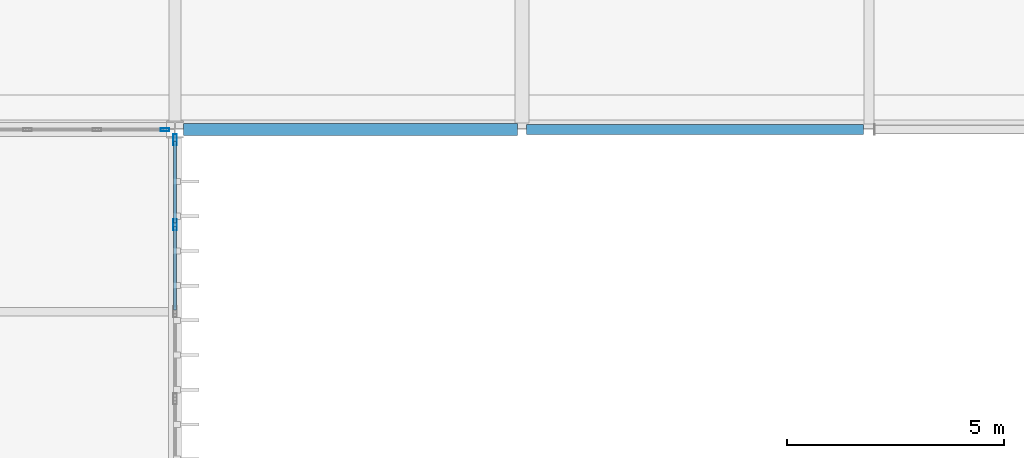
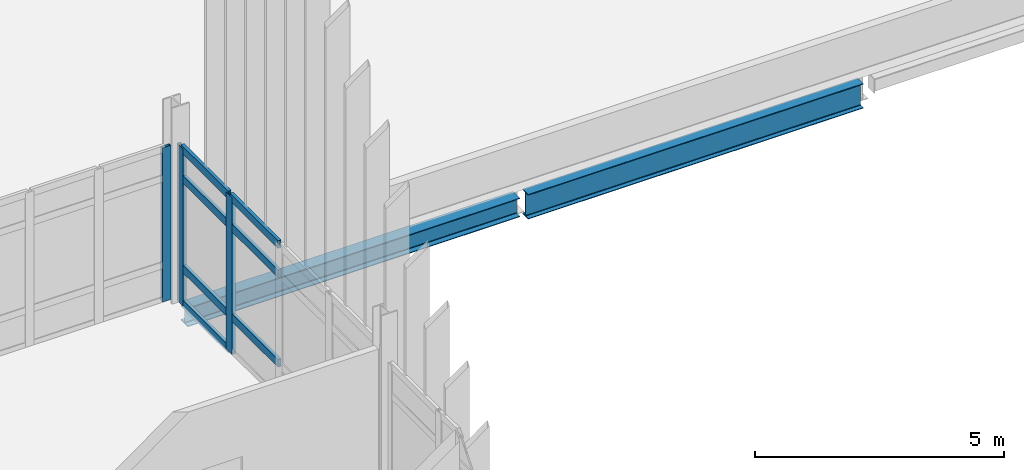
# One storey, part 46 of 153: 10 members, 2 beams, 2 elements without a shape of their own.
"""IFC4 building model written with IfcOpenShell, lengths in metres."""

from ifc_helpers import new_model, si_unit, direction, frame, origin, origin_2d, place, context, subcontext, project, spatial, hollow_rectangle, i_section, extrude, material, layer, layer_set, material_profile, profile_set, type_object, element, aggregate, save


model = new_model("IFC4")

# Units and contexts
model_context = context("Model", 3, precision=1e-05, world=origin(), true_north=direction((0.0, 1.0)))
body_context = subcontext(model_context, "Body", "Model", "MODEL_VIEW")
ifc_project = project(units=[si_unit("LENGTHUNIT", "METRE"), si_unit("AREAUNIT", "SQUARE_METRE"), si_unit("VOLUMEUNIT", "CUBIC_METRE"), si_unit("PLANEANGLEUNIT", "RADIAN"), si_unit("MASSUNIT", "GRAM", prefix="KILO")], contexts=[model_context])

# Site, building, storey
site_placement = place(None, origin())
site = spatial("IfcSite", under=ifc_project, at=site_placement, CompositionType="ELEMENT")
building_placement = place(site_placement, origin())
building = spatial("IfcBuilding", under=site, at=building_placement, Name="Calvrana Isthmian Art Gallery", CompositionType="ELEMENT")
storey_placement = place(building_placement, frame((0.0, 0.0, 10.199951171875)))
storey = spatial("IfcBuildingStorey", under=building, at=storey_placement, Name="L02", CompositionType="ELEMENT", Elevation=10.199951171875)

# Beams
ifc_material_1 = material(Name="Steel ASTM A992 Gr 50", Category="steel")
ifc_material_profile_1 = material_profile(ifc_material_1, i_section(OverallWidth=0.279052734375, OverallDepth=0.4619140625, WebThickness=0.0107421875, FlangeThickness=0.017333984375, FilletRadius=0.02001953125, at=origin_2d()), Name="W18X76")
ifc_profile_set_1 = profile_set([ifc_material_profile_1], Name="Steel ASTM A992 Gr 50")
beam_type_1 = type_object("IfcBeamType", Name="BM-G-W18X76", PredefinedType="BEAM", material=ifc_profile_set_1)
beam_1_placement = place(storey_placement, frame((80.597900390625, 46.800048828125, -0.495849609375), z_axis=(1.0, 0.0, 0.0), x_axis=(0.0, 1.0, 0.0)))
element("IfcBeam", 1, at=beam_1_placement, inside=storey, type_object=beam_type_1, Name="Girder X L02 11-12/G", PredefinedType="BEAM", context=body_context, shape_type="SweptSolid", body=[
    extrude(i_section(OverallWidth=0.279052734375, OverallDepth=0.4619140625, WebThickness=0.0107421875, FlangeThickness=0.017333984375, FilletRadius=0.02001953125, at=origin_2d()), origin(), (0.0, 0.0, 1.0), 7.700439453125),
])
ifc_material_profile_2 = material_profile(ifc_material_1, i_section(OverallWidth=0.22802734375, OverallDepth=0.60693359375, WebThickness=0.01123046875, FlangeThickness=0.017333984375, FilletRadius=0.02197265625, at=origin_2d()), Name="W24X76")
ifc_profile_set_2 = profile_set([ifc_material_profile_2], Name="Steel ASTM A992 Gr 50")
beam_type_2 = type_object("IfcBeamType", Name="BM-G-W24X76", PredefinedType="BEAM", material=ifc_profile_set_2)
beam_2_placement = place(storey_placement, frame((88.501708984375, 46.800048828125, -0.568359375), z_axis=(1.0, 0.0, 0.0), x_axis=(0.0, 1.0, 0.0)))
element("IfcBeam", 2, at=beam_2_placement, inside=storey, type_object=beam_type_2, Name="Girder X L02 12-13/G", PredefinedType="BEAM", context=body_context, shape_type="SweptSolid", body=[
    extrude(i_section(OverallWidth=0.22802734375, OverallDepth=0.60693359375, WebThickness=0.01123046875, FlangeThickness=0.017333984375, FilletRadius=0.02197265625, at=origin_2d()), origin(), (0.0, 0.0, 1.0), 7.771240234375),
])

# Curtain wall, member
ifc_material_2 = material(Name="Anodized bronze aluminium 6063-T6", Category="aluminium")
ifc_layer = layer(ifc_material_2, 0.179931640625, Name="Anodized bronze aluminium 6063-T6")
ifc_layer_set = layer_set([ifc_layer], Name="Anodized bronze aluminium 6063-T6")
curtain_wall_type = type_object("IfcCurtainWallType", Name="CW-UNIT-080X38", PredefinedType="USERDEFINED", material=ifc_layer_set)
curtain_wall_1_placement = place(storey_placement, origin())
curtain_wall_1 = element("IfcCurtainWall", 3, at=curtain_wall_1_placement, inside=storey, type_object=curtain_wall_type, Name="Curtain wall CW-153", ObjectType="UNITISED CURTAIN WALL", PredefinedType="USERDEFINED")
ifc_material_profile_3 = material_profile(ifc_material_2, hollow_rectangle(XDim=0.070068359375, YDim=0.199951171875, WallThickness=0.0048828125, at=origin_2d()), Name="CWM70X200")
ifc_profile_set_3 = profile_set([ifc_material_profile_3], Name="Anodized bronze aluminium 6063-T6")
member_type_1 = type_object("IfcMemberType", Name="CWM-CWM70X200", PredefinedType="MULLION", material=ifc_profile_set_3)
member_1_placement = place(storey_placement, frame((80.16552734375, 46.800048828125, 0.0), z_axis=(0.0, 0.0, 1.0), x_axis=(0.0, 1.0, 0.0)))
member_1 = element("IfcMember", 4, at=member_1_placement, type_object=member_type_1, Name="CW-153 mullion 6", PredefinedType="MULLION", context=body_context, shape_type="SweptSolid", body=[
    extrude(hollow_rectangle(XDim=0.070068359375, YDim=0.199951171875, WallThickness=0.0048828125, at=origin_2d()), origin(), (0.0, 0.0, 1.0), 3.778076171875),
])
aggregate(curtain_wall_1, [member_1])

# Curtain wall, members
curtain_wall_2_placement = place(storey_placement, origin())
curtain_wall_2 = element("IfcCurtainWall", 5, at=curtain_wall_2_placement, inside=storey, type_object=curtain_wall_type, Name="Curtain wall CW-179", ObjectType="UNITISED CURTAIN WALL", PredefinedType="USERDEFINED")
ifc_material_profile_4 = material_profile(ifc_material_2, hollow_rectangle(XDim=0.080078125, YDim=0.25, WallThickness=0.005615234375, at=origin_2d()), Name="CWM80X250")
ifc_profile_set_4 = profile_set([ifc_material_profile_4], Name="Anodized bronze aluminium 6063-T6")
member_type_2 = type_object("IfcMemberType", Name="CWM-CWM80X250", PredefinedType="MULLION", material=ifc_profile_set_4)
member_2_placement = place(storey_placement, frame((80.39990234375, 46.56689453125, 0.0), z_axis=(0.0, 0.0, 1.0), x_axis=(1.0, 0.0, 0.0)))
member_2 = element("IfcMember", 6, at=member_2_placement, type_object=member_type_2, Name="CW-179 mullion 1", PredefinedType="MULLION", context=body_context, shape_type="SweptSolid", body=[
    extrude(hollow_rectangle(XDim=0.080078125, YDim=0.25, WallThickness=0.005615234375, at=origin_2d()), origin(), (0.0, 0.0, 1.0), 3.84716796875),
])
member_3_placement = place(storey_placement, frame((80.39990234375, 44.601318359375, 0.0), z_axis=(0.0, 0.0, 1.0), x_axis=(1.0, 0.0, 0.0)))
member_3 = element("IfcMember", 7, at=member_3_placement, type_object=member_type_2, Name="CW-179 mullion 2", PredefinedType="MULLION", context=body_context, shape_type="SweptSolid", body=[
    extrude(hollow_rectangle(XDim=0.080078125, YDim=0.25, WallThickness=0.005615234375, at=origin_2d()), origin(), (0.0, 0.0, 1.0), 3.84716796875),
])
ifc_material_profile_5 = material_profile(ifc_material_2, hollow_rectangle(XDim=0.074951171875, YDim=0.18994140625, WallThickness=0.00439453125, at=origin_2d()), Name="CWT75X190")
ifc_profile_set_5 = profile_set([ifc_material_profile_5], Name="Anodized bronze aluminium 6063-T6")
member_type_3 = type_object("IfcMemberType", Name="CWT-CWT75X190", PredefinedType="USERDEFINED", material=ifc_profile_set_5)
member_4_placement = place(storey_placement, frame((80.39990234375, 46.527099609375, 0.03759765625), z_axis=(0.0, -1.0, 0.0), x_axis=(1.0, 0.0, 0.0)))
member_4 = element("IfcMember", 8, at=member_4_placement, type_object=member_type_3, Name="CW-179 transom 1.1", ObjectType="TRANSOM", PredefinedType="USERDEFINED", context=body_context, shape_type="SweptSolid", body=[
    extrude(hollow_rectangle(XDim=0.074951171875, YDim=0.18994140625, WallThickness=0.00439453125, at=origin_2d()), origin(), (0.0, 0.0, 1.0), 1.8857421875),
])
member_5_placement = place(storey_placement, frame((80.39990234375, 46.527099609375, 0.900146484375), z_axis=(0.0, -1.0, 0.0), x_axis=(1.0, 0.0, 0.0)))
member_5 = element("IfcMember", 9, at=member_5_placement, type_object=member_type_3, Name="CW-179 transom 1.2", ObjectType="TRANSOM", PredefinedType="USERDEFINED", context=body_context, shape_type="SweptSolid", body=[
    extrude(hollow_rectangle(XDim=0.074951171875, YDim=0.18994140625, WallThickness=0.00439453125, at=origin_2d()), origin(), (0.0, 0.0, 1.0), 1.8857421875),
])
member_6_placement = place(storey_placement, frame((80.39990234375, 46.527099609375, 3.09716796875), z_axis=(0.0, -1.0, 0.0), x_axis=(1.0, 0.0, 0.0)))
member_6 = element("IfcMember", 10, at=member_6_placement, type_object=member_type_3, Name="CW-179 transom 1.3", ObjectType="TRANSOM", PredefinedType="USERDEFINED", context=body_context, shape_type="SweptSolid", body=[
    extrude(hollow_rectangle(XDim=0.074951171875, YDim=0.18994140625, WallThickness=0.00439453125, at=origin_2d()), origin(), (0.0, 0.0, 1.0), 1.8857421875),
])
member_7_placement = place(storey_placement, frame((80.39990234375, 46.527099609375, 3.8095703125), z_axis=(0.0, -1.0, 0.0), x_axis=(1.0, 0.0, 0.0)))
member_7 = element("IfcMember", 11, at=member_7_placement, type_object=member_type_3, Name="CW-179 transom 1.4", ObjectType="TRANSOM", PredefinedType="USERDEFINED", context=body_context, shape_type="SweptSolid", body=[
    extrude(hollow_rectangle(XDim=0.074951171875, YDim=0.18994140625, WallThickness=0.00439453125, at=origin_2d()), origin(), (0.0, 0.0, 1.0), 1.8857421875),
])
member_8_placement = place(storey_placement, frame((80.39990234375, 44.561279296875, 0.900146484375), z_axis=(0.0, -1.0, 0.0), x_axis=(1.0, 0.0, 0.0)))
member_8 = element("IfcMember", 12, at=member_8_placement, type_object=member_type_3, Name="CW-179 transom 2.2", ObjectType="TRANSOM", PredefinedType="USERDEFINED", context=body_context, shape_type="SweptSolid", body=[
    extrude(hollow_rectangle(XDim=0.074951171875, YDim=0.18994140625, WallThickness=0.00439453125, at=origin_2d()), origin(), (0.0, 0.0, 1.0), 1.92578125),
])
member_9_placement = place(storey_placement, frame((80.39990234375, 44.561279296875, 3.09716796875), z_axis=(0.0, -1.0, 0.0), x_axis=(1.0, 0.0, 0.0)))
member_9 = element("IfcMember", 13, at=member_9_placement, type_object=member_type_3, Name="CW-179 transom 2.3", ObjectType="TRANSOM", PredefinedType="USERDEFINED", context=body_context, shape_type="SweptSolid", body=[
    extrude(hollow_rectangle(XDim=0.074951171875, YDim=0.18994140625, WallThickness=0.00439453125, at=origin_2d()), origin(), (0.0, 0.0, 1.0), 1.92578125),
])
member_10_placement = place(storey_placement, frame((80.39990234375, 44.561279296875, 3.8095703125), z_axis=(0.0, -1.0, 0.0), x_axis=(1.0, 0.0, 0.0)))
member_10 = element("IfcMember", 14, at=member_10_placement, type_object=member_type_3, Name="CW-179 transom 2.4", ObjectType="TRANSOM", PredefinedType="USERDEFINED", context=body_context, shape_type="SweptSolid", body=[
    extrude(hollow_rectangle(XDim=0.074951171875, YDim=0.18994140625, WallThickness=0.00439453125, at=origin_2d()), origin(), (0.0, 0.0, 1.0), 1.92578125),
])
aggregate(curtain_wall_2, [member_2, member_3, member_4, member_5, member_6, member_7, member_8, member_9, member_10])

save(model, "model.ifc")
